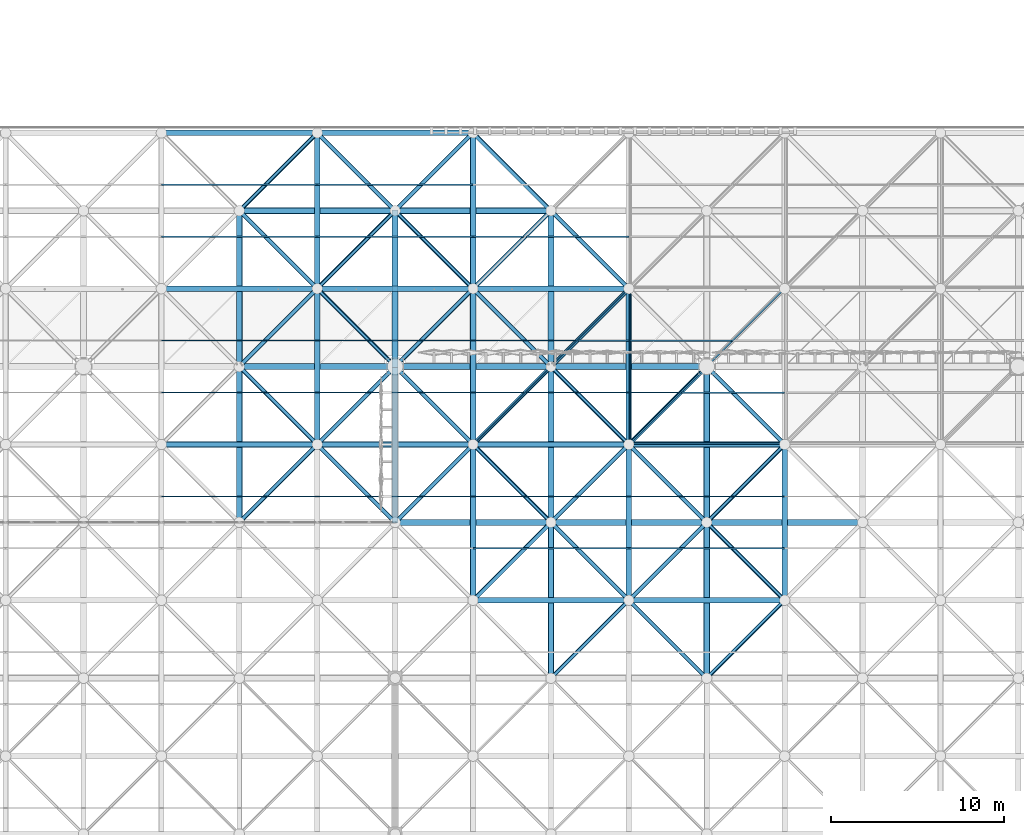
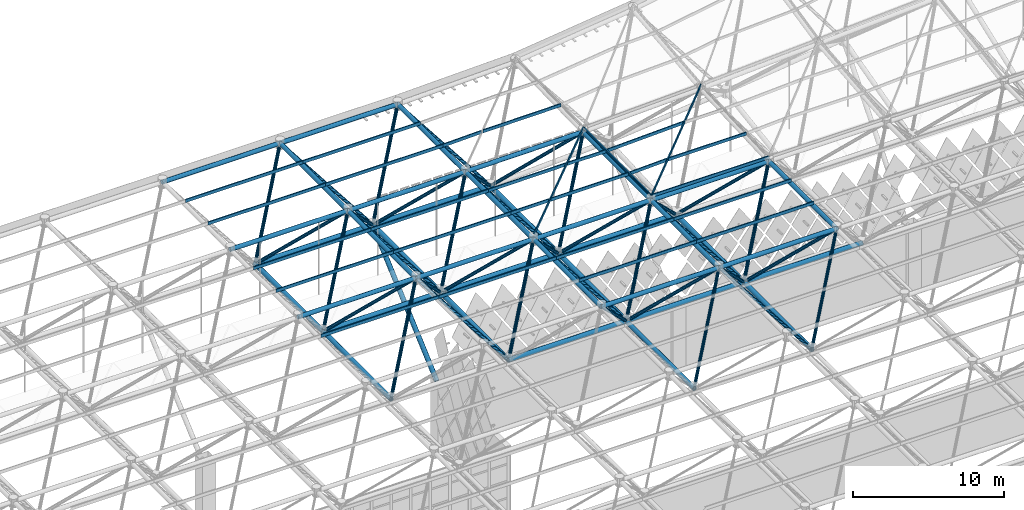
# One storey, part 191 of 437: 99 members.
"""IFC4 building model written with IfcOpenShell, lengths in metres."""

from ifc_helpers import new_model, si_unit, direction, frame, origin, origin_2d, place, context, subcontext, project, spatial, polyline, hollow_circle, outline, extrude, material, material_profile, profile_set, type_object, element, save


model = new_model("IFC4")

# Units and contexts
model_context = context("Model", 3, precision=1e-05, world=origin(), true_north=direction((0.0, 1.0)))
body_context = subcontext(model_context, "Body", "Model", "MODEL_VIEW")
ifc_project = project(units=[si_unit("LENGTHUNIT", "METRE"), si_unit("AREAUNIT", "SQUARE_METRE"), si_unit("VOLUMEUNIT", "CUBIC_METRE"), si_unit("PLANEANGLEUNIT", "RADIAN"), si_unit("MASSUNIT", "GRAM", prefix="KILO")], contexts=[model_context])

# Site, building, storey
site_placement = place(None, origin())
site = spatial("IfcSite", under=ifc_project, at=site_placement, CompositionType="ELEMENT")
building_placement = place(site_placement, origin())
building = spatial("IfcBuilding", under=site, at=building_placement, Name="Opaline Strait Convention Centre", CompositionType="ELEMENT")
storey_placement = place(building_placement, frame((0.0, 0.0, 11.5)))
storey = spatial("IfcBuildingStorey", under=building, at=storey_placement, Name="L02", CompositionType="ELEMENT", Elevation=11.5)

# Members
ifc_material = material(Name="Steel Q355B", Category="steel")
ifc_material_profile_1 = material_profile(ifc_material, hollow_circle(Radius=0.175537109375, WallThickness=0.01611328125, at=origin_2d()), Name="CHS 351x16")
ifc_profile_set_1 = profile_set([ifc_material_profile_1], Name="Steel Q355B")
member_type_1 = type_object("IfcMemberType", Name="Raking prop CHS 351x16", PredefinedType="BRACE", material=ifc_profile_set_1)
member_1_placement = place(storey_placement, frame((207.0, 153.51611328125, 5.01416015625), z_axis=(0.0, 0.749834093781, 0.661625900191), x_axis=(-1.0, 0.0, 0.0)))
element("IfcMember", 1, at=member_1_placement, inside=storey, type_object=member_type_1, Name="Raking prop 207/153 N", PredefinedType="BRACE", context=body_context, shape_type="SweptSolid", body=[
    extrude(hollow_circle(Radius=0.175537109375, WallThickness=0.01611328125, at=origin_2d()), origin(), (0.0, 0.0, 1.0), 11.364501953125),
])
ifc_material_profile_2 = material_profile(ifc_material, outline(polyline([(-0.03759765625, -0.125), (0.03759765625, -0.125), (0.03759765625, -0.10498046875), (0.034912109375, -0.10498046875), (0.034912109375, -0.12255859375), (-0.034912109375, -0.12255859375), (-0.034912109375, 0.12255859375), (0.034912109375, 0.12255859375), (0.034912109375, 0.10498046875), (0.03759765625, 0.10498046875), (0.03759765625, 0.125), (-0.03759765625, 0.125), (-0.03759765625, -0.125)])), Name="C 250x75x20x2.5")
ifc_profile_set_2 = profile_set([ifc_material_profile_2], Name="Steel Q355B")
member_type_2 = type_object("IfcMemberType", Name="Roof purlin C 250x75x20x2.5", PredefinedType="PURLIN", material=ifc_profile_set_2)
for number, where, z_axis, x_axis, name in (
    (2, (193.5, 145.5, 18.257080078125), (1.0, 0.0, 0.0), (0.0, 1.0, 0.0), "EXB-RF-P-12-11-1"),
    (3, (202.5, 145.5, 18.257080078125), (1.0, 0.0, 0.0), (0.0, 1.0, 0.0), "EXB-RF-P-13-11-1"),
    (4, (211.5, 142.5, 18.257080078125), (1.0, 0.0, 0.0), (0.0, 1.0, 0.0), "EXB-RF-P-14-11-0"),
    (5, (211.5, 145.5, 18.257080078125), (1.0, 0.0, 0.0), (0.0, 1.0, 0.0), "EXB-RF-P-14-11-1"),
    (6, (220.5, 142.5, 18.257080078125), (1.0, 0.0, 0.0), (0.0, 1.0, 0.0), "EXB-RF-P-15-11-0"),
    (7, (220.5, 145.5, 18.257080078125), (1.0, 0.0, 0.0), (0.0, 1.0, 0.0), "EXB-RF-P-15-11-1"),
    (8, (193.5, 151.5, 18.257080078125), (1.0, 0.0, 0.0), (0.0, 1.0, 0.0), "EXB-RF-P-12-12-0"),
    (9, (193.5, 154.5, 18.257080078125), (1.0, 0.0, 0.0), (0.0, 1.0, 0.0), "EXB-RF-P-12-12-1"),
    (10, (202.5, 151.5, 18.257080078125), (1.0, 0.0, 0.0), (0.0, 1.0, 0.0), "EXB-RF-P-13-12-0"),
    (11, (202.5, 154.5, 18.257080078125), (1.0, 0.0, 0.0), (0.0, 1.0, 0.0), "EXB-RF-P-13-12-1"),
):
    element("IfcMember", number, at=place(storey_placement, frame(where, z_axis=z_axis, x_axis=x_axis)), inside=storey, type_object=member_type_2, Name=name, PredefinedType="PURLIN", context=body_context, shape_type="SweptSolid", body=[
        extrude(outline(polyline([(-0.03759765625, -0.125), (0.03759765625, -0.125), (0.03759765625, -0.10498046875), (0.034912109375, -0.10498046875), (0.034912109375, -0.12255859375), (-0.034912109375, -0.12255859375), (-0.034912109375, 0.12255859375), (0.034912109375, 0.12255859375), (0.034912109375, 0.10498046875), (0.03759765625, 0.10498046875), (0.03759765625, 0.125), (-0.03759765625, 0.125), (-0.03759765625, -0.125)])), origin(), (0.0, 0.0, 1.0), 9.0),
    ])
member_2_placement = place(storey_placement, frame((211.5, 148.5, 18.256591796875), z_axis=(0.7070974383, 0.7070974383, 0.005140573824), x_axis=(-0.707116123947, 0.707078731646, 0.005143394667)))
element("IfcMember", 12, at=member_2_placement, inside=storey, type_object=member_type_2, Name="EXB-RF-F-14-12", PredefinedType="PURLIN", context=body_context, shape_type="SweptSolid", body=[
    extrude(outline(polyline([(-0.03759765625, -0.125), (0.03759765625, -0.125), (0.03759765625, -0.10498046875), (0.034912109375, -0.10498046875), (0.034912109375, -0.12255859375), (-0.034912109375, -0.12255859375), (-0.034912109375, 0.12255859375), (0.034912109375, 0.12255859375), (0.034912109375, 0.10498046875), (0.03759765625, 0.10498046875), (0.03759765625, 0.125), (-0.03759765625, 0.125), (-0.03759765625, -0.125)])), origin(), (0.0, 0.0, 1.0), 12.72802734375),
])
member_3_placement = place(storey_placement, frame((214.550048828125, 151.5, 18.27880859375), z_axis=(1.0, 0.0, 0.0), x_axis=(0.0, 0.999973540706, 0.007274468163)))
element("IfcMember", 13, at=member_3_placement, inside=storey, type_object=member_type_2, Name="EXB-RF-P-14-12-0a", PredefinedType="PURLIN", context=body_context, shape_type="SweptSolid", body=[
    extrude(outline(polyline([(-0.03759765625, -0.125), (0.03759765625, -0.125), (0.03759765625, -0.10498046875), (0.034912109375, -0.10498046875), (0.034912109375, -0.12255859375), (-0.034912109375, -0.12255859375), (-0.034912109375, 0.12255859375), (0.034912109375, 0.12255859375), (0.034912109375, 0.10498046875), (0.03759765625, 0.10498046875), (0.03759765625, 0.125), (-0.03759765625, 0.125), (-0.03759765625, -0.125)])), origin(), (0.0, 0.0, 1.0), 5.949951171875),
])
for number, where, z_axis, x_axis, name in (
    (14, (217.550048828125, 154.5, 18.300537109375), (1.0, 0.0, 0.0), (0.0, 0.999973540706, 0.007274468163), "EXB-RF-P-14-12-1a"),
    (15, (211.5, 151.5, 18.257080078125), (0.999973480305, 0.0, 0.007282766388), (0.0, 1.0, 0.0), "EXB-RF-P-14-12-0b"),
):
    element("IfcMember", number, at=place(storey_placement, frame(where, z_axis=z_axis, x_axis=x_axis)), inside=storey, type_object=member_type_2, Name=name, PredefinedType="PURLIN", context=body_context, shape_type="SweptSolid", body=[
        extrude(outline(polyline([(-0.03759765625, -0.125), (0.03759765625, -0.125), (0.03759765625, -0.10498046875), (0.034912109375, -0.10498046875), (0.034912109375, -0.12255859375), (-0.034912109375, -0.12255859375), (-0.034912109375, 0.12255859375), (0.034912109375, 0.12255859375), (0.034912109375, 0.10498046875), (0.03759765625, 0.10498046875), (0.03759765625, 0.125), (-0.03759765625, 0.125), (-0.03759765625, -0.125)])), origin(), (0.0, 0.0, 1.0), 2.949951171875),
    ])
member_4_placement = place(storey_placement, frame((211.5, 154.5, 18.257080078125), z_axis=(0.999973627418, 0.0, 0.007262538757), x_axis=(0.0, 1.0, 0.0)))
element("IfcMember", 16, at=member_4_placement, inside=storey, type_object=member_type_2, Name="EXB-RF-P-14-12-1b", PredefinedType="PURLIN", context=body_context, shape_type="SweptSolid", body=[
    extrude(outline(polyline([(-0.03759765625, -0.125), (0.03759765625, -0.125), (0.03759765625, -0.10498046875), (0.034912109375, -0.10498046875), (0.034912109375, -0.12255859375), (-0.034912109375, -0.12255859375), (-0.034912109375, 0.12255859375), (0.034912109375, 0.12255859375), (0.034912109375, 0.10498046875), (0.03759765625, 0.10498046875), (0.03759765625, 0.125), (-0.03759765625, 0.125), (-0.03759765625, -0.125)])), origin(), (0.0, 0.0, 1.0), 5.9501953125),
])
member_5_placement = place(storey_placement, frame((220.5, 148.5, 18.25537109375), z_axis=(0.706754608869, 0.706754608869, 0.031557022738), x_axis=(-0.707458778193, 0.706051128284, 0.031525884719)))
element("IfcMember", 17, at=member_5_placement, inside=storey, type_object=member_type_2, Name="EXB-RF-F-15-12", PredefinedType="PURLIN", context=body_context, shape_type="SweptSolid", body=[
    extrude(outline(polyline([(-0.03759765625, -0.125), (0.03759765625, -0.125), (0.03759765625, -0.10498046875), (0.034912109375, -0.10498046875), (0.034912109375, -0.12255859375), (-0.034912109375, -0.12255859375), (-0.034912109375, 0.12255859375), (0.034912109375, 0.12255859375), (0.034912109375, 0.10498046875), (0.03759765625, 0.10498046875), (0.03759765625, 0.125), (-0.03759765625, 0.125), (-0.03759765625, -0.125)])), origin(), (0.0, 0.0, 1.0), 12.734375),
])
member_6_placement = place(storey_placement, frame((220.449951171875, 148.54541015625, 18.259033203125), z_axis=(1.0, 0.0, 0.0), x_axis=(0.0, 0.999004644434, 0.044606282058)))
element("IfcMember", 18, at=member_6_placement, inside=storey, type_object=member_type_2, Name="EXB-RF-E-15-12a", PredefinedType="PURLIN", context=body_context, shape_type="SweptSolid", body=[
    extrude(outline(polyline([(-0.03759765625, -0.125), (0.03759765625, -0.125), (0.03759765625, -0.10498046875), (0.034912109375, -0.10498046875), (0.034912109375, -0.12255859375), (-0.034912109375, -0.12255859375), (-0.034912109375, 0.12255859375), (0.034912109375, 0.12255859375), (0.034912109375, 0.10498046875), (0.03759765625, 0.10498046875), (0.03759765625, 0.125), (-0.03759765625, 0.125), (-0.03759765625, -0.125)])), origin(), (0.0, 0.0, 1.0), 9.10009765625),
])
member_7_placement = place(storey_placement, frame((223.550048828125, 151.5, 18.390869140625), z_axis=(1.0, 0.0, 0.0), x_axis=(0.0, 0.999004644434, 0.044606282058)))
element("IfcMember", 19, at=member_7_placement, inside=storey, type_object=member_type_2, Name="EXB-RF-P-15-12-0a", PredefinedType="PURLIN", context=body_context, shape_type="SweptSolid", body=[
    extrude(outline(polyline([(-0.03759765625, -0.125), (0.03759765625, -0.125), (0.03759765625, -0.10498046875), (0.034912109375, -0.10498046875), (0.034912109375, -0.12255859375), (-0.034912109375, -0.12255859375), (-0.034912109375, 0.12255859375), (0.034912109375, 0.12255859375), (0.034912109375, 0.10498046875), (0.03759765625, 0.10498046875), (0.03759765625, 0.125), (-0.03759765625, 0.125), (-0.03759765625, -0.125)])), origin(), (0.0, 0.0, 1.0), 5.949951171875),
])
member_8_placement = place(storey_placement, frame((220.54443359375, 148.449951171875, 18.25830078125), z_axis=(0.0, 0.999973571083, 0.007270291296), x_axis=(-0.999302242213, 0.000271545984, -0.037349095988)))
element("IfcMember", 20, at=member_8_placement, inside=storey, type_object=member_type_2, Name="EXB-RF-E-15-12b", PredefinedType="PURLIN", context=body_context, shape_type="SweptSolid", body=[
    extrude(outline(polyline([(-0.03759765625, -0.125), (0.03759765625, -0.125), (0.03759765625, -0.10498046875), (0.034912109375, -0.10498046875), (0.034912109375, -0.12255859375), (-0.034912109375, -0.12255859375), (-0.034912109375, 0.12255859375), (0.034912109375, 0.12255859375), (0.034912109375, 0.10498046875), (0.03759765625, 0.10498046875), (0.03759765625, 0.125), (-0.03759765625, 0.125), (-0.03759765625, -0.125)])), origin(), (0.0, 0.0, 1.0), 9.100341796875),
])
member_9_placement = place(storey_placement, frame((220.5791015625, 151.5, 18.281982421875), z_axis=(0.999303847196, 0.0, 0.03730711701), x_axis=(-0.000271389435, 0.999973540706, 0.007269404021)))
element("IfcMember", 21, at=member_9_placement, inside=storey, type_object=member_type_2, Name="EXB-RF-P-15-12-0b", PredefinedType="PURLIN", context=body_context, shape_type="SweptSolid", body=[
    extrude(outline(polyline([(-0.03759765625, -0.125), (0.03759765625, -0.125), (0.03759765625, -0.10498046875), (0.034912109375, -0.10498046875), (0.034912109375, -0.12255859375), (-0.034912109375, -0.12255859375), (-0.034912109375, 0.12255859375), (0.034912109375, 0.12255859375), (0.034912109375, 0.10498046875), (0.03759765625, 0.10498046875), (0.03759765625, 0.125), (-0.03759765625, 0.125), (-0.03759765625, -0.125)])), origin(), (0.0, 0.0, 1.0), 2.872802734375),
])
member_10_placement = place(storey_placement, frame((220.5791015625, 154.5, 18.3037109375), z_axis=(0.999301908051, 0.0, 0.037359022553), x_axis=(-0.00027176702, 0.999973540706, 0.007269389915)))
element("IfcMember", 22, at=member_10_placement, inside=storey, type_object=member_type_2, Name="EXB-RF-P-15-12-1b", PredefinedType="PURLIN", context=body_context, shape_type="SweptSolid", body=[
    extrude(outline(polyline([(-0.03759765625, -0.125), (0.03759765625, -0.125), (0.03759765625, -0.10498046875), (0.034912109375, -0.10498046875), (0.034912109375, -0.12255859375), (-0.034912109375, -0.12255859375), (-0.034912109375, 0.12255859375), (0.034912109375, 0.12255859375), (0.034912109375, 0.10498046875), (0.03759765625, 0.10498046875), (0.03759765625, 0.125), (-0.03759765625, 0.125), (-0.03759765625, -0.125)])), origin(), (0.0, 0.0, 1.0), 5.875),
])
for number, where, z_axis, x_axis, name in (
    (23, (193.5, 160.5, 18.257080078125), (1.0, 0.0, 0.0), (0.0, 1.0, 0.0), "EXB-RF-P-12-13-0"),
    (24, (193.5, 163.5, 18.257080078125), (1.0, 0.0, 0.0), (0.0, 1.0, 0.0), "EXB-RF-P-12-13-1"),
    (25, (202.5, 160.5, 18.257080078125), (1.0, 0.0, 0.0), (0.0, 1.0, 0.0), "EXB-RF-P-13-13-0"),
    (26, (202.5, 163.5, 18.257080078125), (1.0, 0.0, 0.0), (0.0, 1.0, 0.0), "EXB-RF-P-13-13-1"),
):
    element("IfcMember", number, at=place(storey_placement, frame(where, z_axis=z_axis, x_axis=x_axis)), inside=storey, type_object=member_type_2, Name=name, PredefinedType="PURLIN", context=body_context, shape_type="SweptSolid", body=[
        extrude(outline(polyline([(-0.03759765625, -0.125), (0.03759765625, -0.125), (0.03759765625, -0.10498046875), (0.034912109375, -0.10498046875), (0.034912109375, -0.12255859375), (-0.034912109375, -0.12255859375), (-0.034912109375, 0.12255859375), (0.034912109375, 0.12255859375), (0.034912109375, 0.10498046875), (0.03759765625, 0.10498046875), (0.03759765625, 0.125), (-0.03759765625, 0.125), (-0.03759765625, -0.125)])), origin(), (0.0, 0.0, 1.0), 9.0),
    ])
member_11_placement = place(storey_placement, frame((214.550048828125, 160.5, 18.341552734375), z_axis=(0.999973328593, 0.0, 0.007303567867), x_axis=(-0.000151909348, 0.999783670452, 0.020798779311)))
element("IfcMember", 27, at=member_11_placement, inside=storey, type_object=member_type_2, Name="EXB-RF-P-14-13-0a", PredefinedType="PURLIN", context=body_context, shape_type="SweptSolid", body=[
    extrude(outline(polyline([(-0.03759765625, -0.125), (0.03759765625, -0.125), (0.03759765625, -0.10498046875), (0.034912109375, -0.10498046875), (0.034912109375, -0.12255859375), (-0.034912109375, -0.12255859375), (-0.034912109375, 0.12255859375), (0.034912109375, 0.12255859375), (0.034912109375, 0.10498046875), (0.03759765625, 0.10498046875), (0.03759765625, 0.125), (-0.03759765625, 0.125), (-0.03759765625, -0.125)])), origin(), (0.0, 0.0, 1.0), 5.9501953125),
])
member_12_placement = place(storey_placement, frame((211.5, 160.5, 18.257080078125), z_axis=(0.999606664128, 0.0, 0.028044910961), x_axis=(0.0, 1.0, 0.0)))
element("IfcMember", 28, at=member_12_placement, inside=storey, type_object=member_type_2, Name="EXB-RF-P-14-13-0b", PredefinedType="PURLIN", context=body_context, shape_type="SweptSolid", body=[
    extrude(outline(polyline([(-0.03759765625, -0.125), (0.03759765625, -0.125), (0.03759765625, -0.10498046875), (0.034912109375, -0.10498046875), (0.034912109375, -0.12255859375), (-0.034912109375, -0.12255859375), (-0.034912109375, 0.12255859375), (0.034912109375, 0.12255859375), (0.034912109375, 0.10498046875), (0.03759765625, 0.10498046875), (0.03759765625, 0.125), (-0.03759765625, 0.125), (-0.03759765625, -0.125)])), origin(), (0.0, 0.0, 1.0), 2.951171875),
])
ifc_material_profile_3 = material_profile(ifc_material, hollow_circle(Radius=0.16259765625, WallThickness=0.013916015625, at=origin_2d()), Name="CHS 325x14")
ifc_profile_set_3 = profile_set([ifc_material_profile_3], Name="Steel Q355B")
member_type_3 = type_object("IfcMemberType", Name="Space frame bottom chord CHS 325x14", PredefinedType="CHORD", material=ifc_profile_set_3)
member_13_placement = place(storey_placement, frame((216.0, 134.949951171875, 12.5), z_axis=(0.0, 1.0, 0.0), x_axis=(-1.0, 0.0, 0.0)))
element("IfcMember", 29, at=member_13_placement, inside=storey, type_object=member_type_3, Name="EXB-RF-BY-14-10", PredefinedType="CHORD", context=body_context, shape_type="SweptSolid", body=[
    extrude(hollow_circle(Radius=0.16259765625, WallThickness=0.013916015625, at=origin_2d()), origin(), (0.0, 0.0, 1.0), 9.10009765625),
])
ifc_material_profile_4 = material_profile(ifc_material, hollow_circle(Radius=0.175537109375, WallThickness=0.01611328125, at=origin_2d()), Name="CHS 351x16")
ifc_profile_set_4 = profile_set([ifc_material_profile_4], Name="Steel Q355B")
member_type_4 = type_object("IfcMemberType", Name="Space frame bottom chord CHS 351x16", PredefinedType="CHORD", material=ifc_profile_set_4)
for number, where, z_axis, x_axis, name in (
    (30, (206.949951171875, 144.0, 12.5), (1.0, 0.0, 0.0), (0.0, 1.0, 0.0), "EXB-RF-BX-13-11"),
    (31, (215.949951171875, 144.0, 12.5), (1.0, 0.0, 0.0), (0.0, 1.0, 0.0), "EXB-RF-BX-14-11"),
    (32, (224.949951171875, 144.0, 12.5), (1.0, 0.0, 0.0), (0.0, 1.0, 0.0), "EXB-RF-BX-15-11"),
    (33, (197.949951171875, 153.0, 12.5), (1.0, 0.0, 0.0), (0.0, 1.0, 0.0), "EXB-RF-BX-12-12"),
    (34, (206.949951171875, 153.0, 12.5), (1.0, 0.0, 0.0), (0.0, 1.0, 0.0), "EXB-RF-BX-13-12"),
    (35, (215.949951171875, 153.0, 12.5), (1.0, 0.0, 0.0), (0.0, 1.0, 0.0), "EXB-RF-BX-14-12"),
    (36, (197.949951171875, 162.0, 12.5), (1.0, 0.0, 0.0), (0.0, 1.0, 0.0), "EXB-RF-BX-12-13"),
    (37, (206.949951171875, 162.0, 12.5), (0.999999507324, 0.0, 0.000992648542), (0.0, 1.0, 0.0), "EXB-RF-BX-13-13"),
    (38, (198.0, 143.949951171875, 12.5), (0.0, 1.0, 0.0), (-1.0, 0.0, 0.0), "EXB-RF-BY-12-11"),
    (39, (198.0, 152.949951171875, 12.5), (0.0, 1.0, 0.0), (-1.0, 0.0, 0.0), "EXB-RF-BY-12-12"),
    (40, (207.0, 143.949951171875, 12.5), (0.0, 1.0, 0.0), (-1.0, 0.0, 0.0), "EXB-RF-BY-13-11"),
    (41, (207.0, 152.949951171875, 12.5), (0.0, 1.0, 0.0), (-1.0, 0.0, 0.0), "EXB-RF-BY-13-12"),
    (42, (216.0, 143.949951171875, 12.5), (0.0, 1.0, 0.0), (-1.0, 0.0, 0.0), "EXB-RF-BY-14-11"),
    (43, (216.0, 152.949951171875, 12.5), (0.0, 0.999999507324, 0.000992648542), (-1.0, 0.0, 0.0), "EXB-RF-BY-14-12"),
    (44, (225.0, 134.949951171875, 12.5), (0.0, 1.0, 0.0), (-1.0, 0.0, 0.0), "EXB-RF-BY-15-10"),
    (45, (225.0, 143.949951171875, 12.5), (0.0, 1.0, 0.0), (-1.0, 0.0, 0.0), "EXB-RF-BY-15-11"),
):
    element("IfcMember", number, at=place(storey_placement, frame(where, z_axis=z_axis, x_axis=x_axis)), inside=storey, type_object=member_type_4, Name=name, PredefinedType="CHORD", context=body_context, shape_type="SweptSolid", body=[
        extrude(hollow_circle(Radius=0.175537109375, WallThickness=0.01611328125, at=origin_2d()), origin(), (0.0, 0.0, 1.0), 9.10009765625),
    ])
ifc_material_profile_5 = material_profile(ifc_material, hollow_circle(Radius=0.16259765625, WallThickness=0.013916015625, at=origin_2d()), Name="CHS 325x14")
ifc_profile_set_5 = profile_set([ifc_material_profile_5], Name="Steel Q355B")
member_type_5 = type_object("IfcMemberType", Name="Space frame top chord CHS 325x14", PredefinedType="CHORD", material=ifc_profile_set_5)
for number, where, z_axis, x_axis, name in (
    (46, (211.449951171875, 139.5, 17.971435546875), (1.0, 0.0, 0.0), (0.0, 1.0, 0.0), "EXB-RF-TX-14-11"),
    (47, (193.449951171875, 166.5, 17.971435546875), (1.0, 0.0, 0.0), (0.0, 1.0, 0.0), "EXB-RF-TX-12-14"),
):
    element("IfcMember", number, at=place(storey_placement, frame(where, z_axis=z_axis, x_axis=x_axis)), inside=storey, type_object=member_type_5, Name=name, PredefinedType="CHORD", context=body_context, shape_type="SweptSolid", body=[
        extrude(hollow_circle(Radius=0.16259765625, WallThickness=0.013916015625, at=origin_2d()), origin(), (0.0, 0.0, 1.0), 9.10009765625),
    ])
ifc_material_profile_6 = material_profile(ifc_material, hollow_circle(Radius=0.16259765625, WallThickness=0.02001953125, at=origin_2d()), Name="CHS 325x20")
ifc_profile_set_6 = profile_set([ifc_material_profile_6], Name="Steel Q355B")
member_type_6 = type_object("IfcMemberType", Name="Space frame top chord CHS 325x20", PredefinedType="CHORD", material=ifc_profile_set_6)
for number, where, z_axis, x_axis, name in (
    (48, (220.449951171875, 139.5, 17.971435546875), (1.0, 0.0, 0.0), (0.0, 1.0, 0.0), "EXB-RF-TX-15-11"),
    (49, (193.449951171875, 148.5, 17.971435546875), (1.0, 0.0, 0.0), (0.0, 1.0, 0.0), "EXB-RF-TX-12-12"),
    (50, (202.449951171875, 148.5, 17.971435546875), (1.0, 0.0, 0.0), (0.0, 1.0, 0.0), "EXB-RF-TX-13-12"),
    (51, (211.449951171875, 148.5, 17.971435546875), (1.0, 0.0, 0.0), (0.0, 1.0, 0.0), "EXB-RF-TX-14-12"),
    (52, (220.449951171875, 148.5, 17.971435546875), (1.0, 0.0, 0.0), (0.0, 1.0, 0.0), "EXB-RF-TX-15-12"),
    (53, (193.449951171875, 157.5, 17.971435546875), (1.0, 0.0, 0.0), (0.0, 1.0, 0.0), "EXB-RF-TX-12-13"),
    (54, (202.449951171875, 157.5, 17.971435546875), (1.0, 0.0, 0.0), (0.0, 1.0, 0.0), "EXB-RF-TX-13-13"),
):
    element("IfcMember", number, at=place(storey_placement, frame(where, z_axis=z_axis, x_axis=x_axis)), inside=storey, type_object=member_type_6, Name=name, PredefinedType="CHORD", context=body_context, shape_type="SweptSolid", body=[
        extrude(hollow_circle(Radius=0.16259765625, WallThickness=0.02001953125, at=origin_2d()), origin(), (0.0, 0.0, 1.0), 9.10009765625),
    ])
member_14_placement = place(storey_placement, frame((211.449951171875, 157.5, 17.97119140625), z_axis=(0.999973571083, 0.0, 0.007270291296), x_axis=(0.0, 1.0, 0.0)))
element("IfcMember", 55, at=member_14_placement, inside=storey, type_object=member_type_6, Name="EXB-RF-TX-14-13", PredefinedType="CHORD", context=body_context, shape_type="SweptSolid", body=[
    extrude(hollow_circle(Radius=0.16259765625, WallThickness=0.02001953125, at=origin_2d()), origin(), (0.0, 0.0, 1.0), 9.100341796875),
])
for number, where, z_axis, x_axis, name in (
    (56, (202.449951171875, 166.5, 17.971435546875), (1.0, 0.0, 0.0), (0.0, 1.0, 0.0), "EXB-RF-TX-13-14"),
    (57, (202.5, 148.449951171875, 17.971435546875), (0.0, 1.0, 0.0), (-1.0, 0.0, 0.0), "EXB-RF-TY-13-12"),
    (58, (202.5, 157.449951171875, 17.971435546875), (0.0, 1.0, 0.0), (-1.0, 0.0, 0.0), "EXB-RF-TY-13-13"),
    (59, (211.5, 139.449951171875, 17.971435546875), (0.0, 1.0, 0.0), (-1.0, 0.0, 0.0), "EXB-RF-TY-14-11"),
    (60, (211.5, 148.449951171875, 17.971435546875), (0.0, 1.0, 0.0), (-1.0, 0.0, 0.0), "EXB-RF-TY-14-12"),
    (61, (211.5, 157.449951171875, 17.971435546875), (0.0, 1.0, 0.0), (-1.0, 0.0, 0.0), "EXB-RF-TY-14-13"),
    (62, (220.5, 139.449951171875, 17.971435546875), (0.0, 1.0, 0.0), (-1.0, 0.0, 0.0), "EXB-RF-TY-15-11"),
):
    element("IfcMember", number, at=place(storey_placement, frame(where, z_axis=z_axis, x_axis=x_axis)), inside=storey, type_object=member_type_6, Name=name, PredefinedType="CHORD", context=body_context, shape_type="SweptSolid", body=[
        extrude(hollow_circle(Radius=0.16259765625, WallThickness=0.02001953125, at=origin_2d()), origin(), (0.0, 0.0, 1.0), 9.10009765625),
    ])
member_15_placement = place(storey_placement, frame((220.5, 148.449951171875, 17.97119140625), z_axis=(0.0, 0.999973571083, 0.007270291296), x_axis=(-1.0, 0.0, 0.0)))
element("IfcMember", 63, at=member_15_placement, inside=storey, type_object=member_type_6, Name="EXB-RF-TY-15-12", PredefinedType="CHORD", context=body_context, shape_type="SweptSolid", body=[
    extrude(hollow_circle(Radius=0.16259765625, WallThickness=0.02001953125, at=origin_2d()), origin(), (0.0, 0.0, 1.0), 9.100341796875),
])
member_16_placement = place(storey_placement, frame((229.5, 139.449951171875, 17.971435546875), z_axis=(0.0, 1.0, 0.0), x_axis=(-1.0, 0.0, 0.0)))
element("IfcMember", 64, at=member_16_placement, inside=storey, type_object=member_type_6, Name="EXB-RF-TY-16-11", PredefinedType="CHORD", context=body_context, shape_type="SweptSolid", body=[
    extrude(hollow_circle(Radius=0.16259765625, WallThickness=0.02001953125, at=origin_2d()), origin(), (0.0, 0.0, 1.0), 9.10009765625),
])
ifc_material_profile_7 = material_profile(ifc_material, hollow_circle(Radius=0.109619140625, WallThickness=0.010009765625, at=origin_2d()), Name="CHS 219x10")
ifc_profile_set_7 = profile_set([ifc_material_profile_7], Name="Steel Q355B")
member_type_7 = type_object("IfcMemberType", Name="Space frame web CHS 219x10", PredefinedType="BRACE", material=ifc_profile_set_7)
for number, where, z_axis, x_axis, name in (
    (65, (220.52685546875, 139.52685546875, 18.004150390625), (-0.536178220346, -0.536178220346, -0.6519400525), (0.707106781187, -0.707106781187, 0.0), "EXB-RF-W-14-10-11"),
    (66, (220.47314453125, 139.52685546875, 18.004150390625), (0.536178220346, -0.536178220346, -0.6519400525), (0.707106781187, 0.707106781187, 0.0), "EXB-RF-W-15-10-01"),
    (67, (229.52685546875, 139.52685546875, 18.004150390625), (-0.536178220346, -0.536178220346, -0.6519400525), (0.707106781187, -0.707106781187, 0.0), "EXB-RF-W-15-10-11"),
):
    element("IfcMember", number, at=place(storey_placement, frame(where, z_axis=z_axis, x_axis=x_axis)), inside=storey, type_object=member_type_7, Name=name, PredefinedType="BRACE", context=body_context, shape_type="SweptSolid", body=[
        extrude(hollow_circle(Radius=0.109619140625, WallThickness=0.010009765625, at=origin_2d()), origin(), (0.0, 0.0, 1.0), 8.492919921875),
    ])
ifc_material_profile_8 = material_profile(ifc_material, hollow_circle(Radius=0.12255859375, WallThickness=0.011962890625, at=origin_2d()), Name="CHS 245x12")
ifc_profile_set_8 = profile_set([ifc_material_profile_8], Name="Steel Q355B")
member_type_8 = type_object("IfcMemberType", Name="Space frame web CHS 245x12", PredefinedType="BRACE", material=ifc_profile_set_8)
for number, where, z_axis, x_axis, name in (
    (68, (202.52685546875, 148.52685546875, 18.004150390625), (-0.536178220346, -0.536178220346, -0.6519400525), (0.707106781187, -0.707106781187, 0.0), "EXB-RF-W-12-11-11"),
    (69, (202.52685546875, 148.47314453125, 18.004150390625), (-0.536178220346, 0.536178220346, -0.6519400525), (-0.707106781187, -0.707106781187, 0.0), "EXB-RF-W-12-12-10"),
    (70, (202.52685546875, 157.52685546875, 18.004150390625), (-0.536178220346, -0.536178220346, -0.6519400525), (0.707106781187, -0.707106781187, 0.0), "EXB-RF-W-12-12-11"),
    (71, (202.52685546875, 157.47314453125, 18.004150390625), (-0.536178220346, 0.536178220346, -0.6519400525), (-0.707106781187, -0.707106781187, 0.0), "EXB-RF-W-12-13-10"),
    (72, (202.52685546875, 166.52685546875, 18.004150390625), (-0.536178220346, -0.536178220346, -0.6519400525), (0.707106781187, -0.707106781187, 0.0), "EXB-RF-W-12-13-11"),
    (73, (202.47314453125, 148.52685546875, 18.004150390625), (0.536178220346, -0.536178220346, -0.6519400525), (0.707106781187, 0.707106781187, 0.0), "EXB-RF-W-13-11-01"),
    (74, (211.52685546875, 148.52685546875, 18.004150390625), (-0.536178220346, -0.536178220346, -0.6519400525), (0.707106781187, -0.707106781187, 0.0), "EXB-RF-W-13-11-11"),
    (75, (202.47314453125, 148.47314453125, 18.004150390625), (0.536178220346, 0.536178220346, -0.6519400525), (-0.707106781187, 0.707106781187, 0.0), "EXB-RF-W-13-12-00"),
    (76, (202.47314453125, 157.52685546875, 18.004150390625), (0.536178220346, -0.536178220346, -0.6519400525), (0.707106781187, 0.707106781187, 0.0), "EXB-RF-W-13-12-01"),
    (77, (211.52685546875, 148.47314453125, 18.004150390625), (-0.536178220346, 0.536178220346, -0.6519400525), (-0.707106781187, -0.707106781187, 0.0), "EXB-RF-W-13-12-10"),
    (78, (211.52685546875, 157.52685546875, 18.004150390625), (-0.536178220346, -0.536178220346, -0.6519400525), (0.707106781187, -0.707106781187, 0.0), "EXB-RF-W-13-12-11"),
    (79, (202.47314453125, 157.47314453125, 18.004150390625), (0.536178220346, 0.536178220346, -0.6519400525), (-0.707106781187, 0.707106781187, 0.0), "EXB-RF-W-13-13-00"),
    (80, (202.47314453125, 166.52685546875, 18.004150390625), (0.536178220346, -0.536178220346, -0.6519400525), (0.707106781187, 0.707106781187, 0.0), "EXB-RF-W-13-13-01"),
    (81, (211.52685546875, 157.47314453125, 18.004150390625), (-0.536178220346, 0.536178220346, -0.6519400525), (-0.707106781187, -0.707106781187, 0.0), "EXB-RF-W-13-13-10"),
    (82, (211.52685546875, 166.52685546875, 18.004150390625), (-0.536178220346, -0.536178220346, -0.6519400525), (0.707106781187, -0.707106781187, 0.0), "EXB-RF-W-13-13-11"),
    (83, (211.47314453125, 139.47314453125, 18.004150390625), (0.536178220346, 0.536178220346, -0.6519400525), (-0.707106781187, 0.707106781187, 0.0), "EXB-RF-W-14-11-00"),
    (84, (211.47314453125, 148.52685546875, 18.004150390625), (0.536178220346, -0.536178220346, -0.6519400525), (0.707106781187, 0.707106781187, 0.0), "EXB-RF-W-14-11-01"),
    (85, (220.52685546875, 139.47314453125, 18.004150390625), (-0.536178220346, 0.536178220346, -0.6519400525), (-0.707106781187, -0.707106781187, 0.0), "EXB-RF-W-14-11-10"),
    (86, (220.52685546875, 148.52685546875, 18.004150390625), (-0.536178220346, -0.536178220346, -0.6519400525), (0.707106781187, -0.707106781187, 0.0), "EXB-RF-W-14-11-11"),
    (87, (211.47314453125, 148.47314453125, 18.004150390625), (0.536178220346, 0.536178220346, -0.6519400525), (-0.707106781187, 0.707106781187, 0.0), "EXB-RF-W-14-12-00"),
    (88, (211.47314453125, 157.52685546875, 18.004150390625), (0.536178220346, -0.536178220346, -0.6519400525), (0.707106781187, 0.707106781187, 0.0), "EXB-RF-W-14-12-01"),
    (89, (220.52685546875, 148.47314453125, 18.004150390625), (-0.536178220346, 0.536178220346, -0.6519400525), (-0.707106781187, -0.707106781187, 0.0), "EXB-RF-W-14-12-10"),
):
    element("IfcMember", number, at=place(storey_placement, frame(where, z_axis=z_axis, x_axis=x_axis)), inside=storey, type_object=member_type_8, Name=name, PredefinedType="BRACE", context=body_context, shape_type="SweptSolid", body=[
        extrude(hollow_circle(Radius=0.12255859375, WallThickness=0.011962890625, at=origin_2d()), origin(), (0.0, 0.0, 1.0), 8.492919921875),
    ])
member_17_placement = place(storey_placement, frame((220.526611328125, 157.526611328125, 18.06982421875), z_axis=(-0.533455011951, -0.533455011951, -0.65639279433), x_axis=(0.707106781187, -0.707106781187, 0.0)))
element("IfcMember", 90, at=member_17_placement, inside=storey, type_object=member_type_8, Name="EXB-RF-W-14-12-11", PredefinedType="BRACE", context=body_context, shape_type="SweptSolid", body=[
    extrude(hollow_circle(Radius=0.12255859375, WallThickness=0.011962890625, at=origin_2d()), origin(), (0.0, 0.0, 1.0), 8.535400390625),
])
for number, where, z_axis, x_axis, name in (
    (91, (211.47314453125, 157.47314453125, 18.004150390625), (0.536550097538, 0.536550097538, -0.651327863417), (-0.707106781187, 0.707106781187, 0.0), "EXB-RF-W-14-13-00"),
    (92, (211.47314453125, 166.52685546875, 18.004150390625), (0.536550097538, -0.536550097538, -0.651327863417), (0.707106781187, 0.707106781187, 0.0), "EXB-RF-W-14-13-01"),
):
    element("IfcMember", number, at=place(storey_placement, frame(where, z_axis=z_axis, x_axis=x_axis)), inside=storey, type_object=member_type_8, Name=name, PredefinedType="BRACE", context=body_context, shape_type="SweptSolid", body=[
        extrude(hollow_circle(Radius=0.12255859375, WallThickness=0.011962890625, at=origin_2d()), origin(), (0.0, 0.0, 1.0), 8.487060546875),
    ])
member_18_placement = place(storey_placement, frame((220.526611328125, 157.473388671875, 18.06982421875), z_axis=(-0.533815659116, 0.533815659116, -0.655806133065), x_axis=(-0.707106781187, -0.707106781187, 0.0)))
element("IfcMember", 93, at=member_18_placement, inside=storey, type_object=member_type_8, Name="EXB-RF-W-14-13-10", PredefinedType="BRACE", context=body_context, shape_type="SweptSolid", body=[
    extrude(hollow_circle(Radius=0.12255859375, WallThickness=0.011962890625, at=origin_2d()), origin(), (0.0, 0.0, 1.0), 8.529541015625),
])
for number, where, z_axis, x_axis, name in (
    (94, (220.47314453125, 139.47314453125, 18.004150390625), (0.536178220346, 0.536178220346, -0.6519400525), (-0.707106781187, 0.707106781187, 0.0), "EXB-RF-W-15-11-00"),
    (95, (220.47314453125, 148.52685546875, 18.004150390625), (0.536178220346, -0.536178220346, -0.6519400525), (0.707106781187, 0.707106781187, 0.0), "EXB-RF-W-15-11-01"),
    (96, (229.52685546875, 139.47314453125, 18.004150390625), (-0.536178220346, 0.536178220346, -0.6519400525), (-0.707106781187, -0.707106781187, 0.0), "EXB-RF-W-15-11-10"),
    (97, (229.52685546875, 148.52685546875, 18.004150390625), (-0.536178220346, -0.536178220346, -0.6519400525), (0.707106781187, -0.707106781187, 0.0), "EXB-RF-W-15-11-11"),
    (98, (220.47314453125, 148.47314453125, 18.004150390625), (0.536178220346, 0.536178220346, -0.6519400525), (-0.707106781187, 0.707106781187, 0.0), "EXB-RF-W-15-12-00"),
    (99, (229.52685546875, 148.47314453125, 18.004150390625), (-0.536178220346, 0.536178220346, -0.6519400525), (-0.707106781187, -0.707106781187, 0.0), "EXB-RF-W-15-12-10"),
):
    element("IfcMember", number, at=place(storey_placement, frame(where, z_axis=z_axis, x_axis=x_axis)), inside=storey, type_object=member_type_8, Name=name, PredefinedType="BRACE", context=body_context, shape_type="SweptSolid", body=[
        extrude(hollow_circle(Radius=0.12255859375, WallThickness=0.011962890625, at=origin_2d()), origin(), (0.0, 0.0, 1.0), 8.492919921875),
    ])

save(model, "model.ifc")
